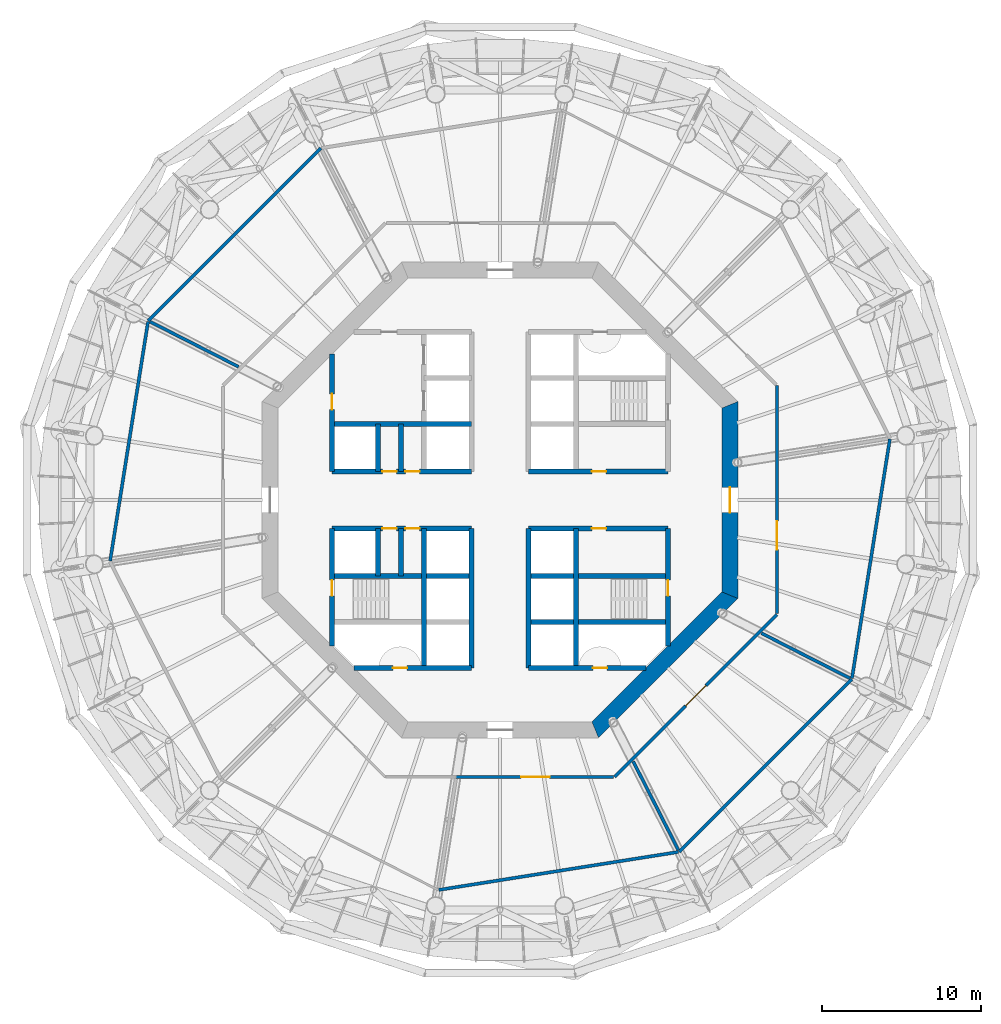
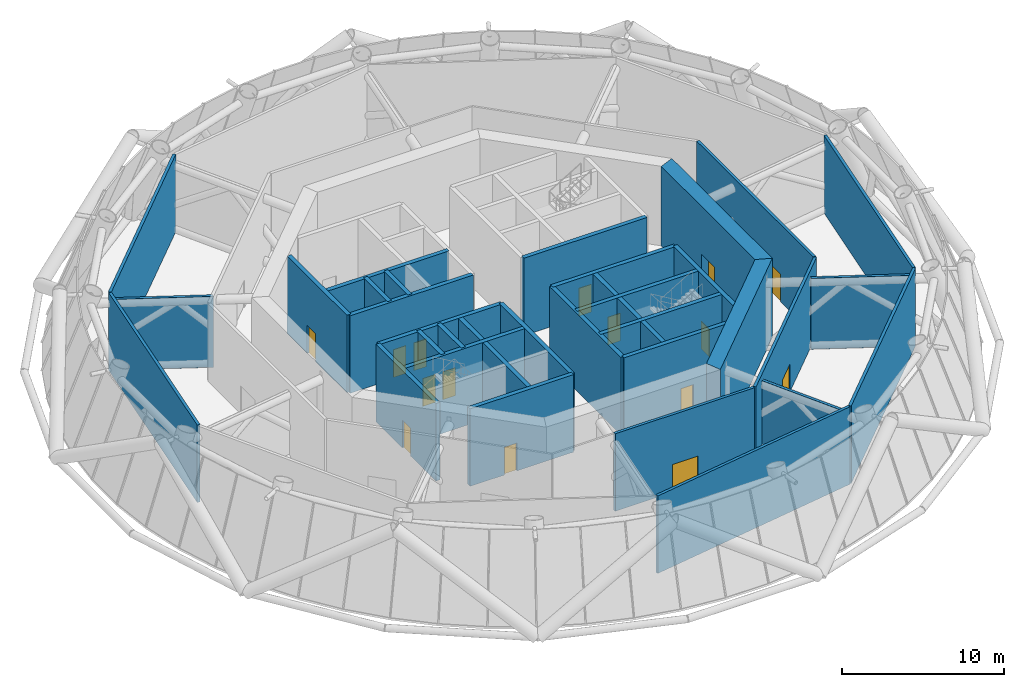
# One storey, part 8 of 15: 34 walls, 15 doors, 15 openings.
"""IFC4 building model written with IfcOpenShell, lengths in metres."""

from ifc_helpers import new_model, si_unit, direction, frame, frame_2d, origin, place, context, subcontext, project, spatial, polyline, rectangle, outline, extrude, material, layer, layer_set, type_object, element, fill, save


model = new_model("IFC4")

# Units and contexts
model_context = context("Model", 3, precision=1e-05, world=origin(), true_north=direction((0.0, 1.0)))
body_context = subcontext(model_context, "Body", "Model", "MODEL_VIEW")
ifc_project = project(units=[si_unit("LENGTHUNIT", "METRE"), si_unit("AREAUNIT", "SQUARE_METRE"), si_unit("VOLUMEUNIT", "CUBIC_METRE"), si_unit("PLANEANGLEUNIT", "RADIAN"), si_unit("MASSUNIT", "GRAM", prefix="KILO")], contexts=[model_context])

# Site, building, storey
site_placement = place(None, origin())
site = spatial("IfcSite", under=ifc_project, at=site_placement, CompositionType="ELEMENT")
building_placement = place(site_placement, origin())
building = spatial("IfcBuilding", under=site, at=building_placement, Name="Entoto Ring Tower", CompositionType="ELEMENT")
storey_placement = place(building_placement, frame((0.0, 0.0, 200.0)))
storey = spatial("IfcBuildingStorey", under=building, at=storey_placement, Name="L46", CompositionType="ELEMENT", Elevation=200.0)

# Wall, opening, door
ifc_material_1 = material(Name="Concrete C40/50", Category="concrete")
ifc_layer_1 = layer(ifc_material_1, 0.300048828125)
ifc_layer_set_1 = layer_set([ifc_layer_1], Name="Concrete C40/50")
wall_type_1 = type_object("IfcWallType", Name="Core enclosure wall 300 mm reinforced concrete", PredefinedType="SOLIDWALL", material=ifc_layer_set_1)
wall_1_placement = place(storey_placement, frame((100.60009765625, 70.801025390625, 0.0), z_axis=(0.0, 0.0, 1.0), x_axis=(0.0, 1.0, 0.0)))
wall_1 = element("IfcWall", 1, at=wall_1_placement, inside=storey, type_object=wall_type_1, Name="wall-L46-001", PredefinedType="SOLIDWALL", context=body_context, shape_type="SweptSolid", body=[
    extrude(rectangle(XDim=7.39892578125, YDim=0.300048828125, at=frame_2d((3.699462890625, 0.0))), origin(), (0.0, 0.0, 1.0), 5.85009765625),
])
opening_1_placement = place(wall_1_placement, frame((3.14892578125, 0.0, 0.0)))
opening_1 = element("IfcOpeningElement", 2, at=opening_1_placement, cuts=wall_1, Name="Opening K-47", PredefinedType="OPENING", context=body_context, shape_type="SweptSolid", body=[
    extrude(rectangle(XDim=1.0, YDim=2.10009765625, at=frame_2d((0.5, 1.050048828125))), frame((0.0, 0.16015625, 0.0), z_axis=(0.0, -1.0, 0.0), x_axis=(1.0, 0.0, 0.0)), (0.0, 0.0, 1.0), 0.320068359375),
])
ifc_material_2 = material(Name="Steel door leaf, fire rated", Category="steel")
ifc_layer_2 = layer(ifc_material_2, 0.050048828125)
ifc_layer_set_2 = layer_set([ifc_layer_2], Name="Steel door leaf, fire rated")
door_type_1 = type_object("IfcDoorType", Name="Fire door FD60 1000 x 2100 single leaf", OperationType="NOTDEFINED", PredefinedType="DOOR", material=ifc_layer_set_2)
door_1_placement = place(opening_1_placement, origin())
door_1 = element("IfcDoor", 3, at=door_1_placement, inside=storey, type_object=door_type_1, Name="Door K-47", OperationType="SINGLE_SWING_RIGHT", OverallHeight=2.10009765625, OverallWidth=1.0, PredefinedType="DOOR", context=body_context, shape_type="SweptSolid", body=[
    extrude(rectangle(XDim=1.0, YDim=2.10009765625, at=frame_2d((0.5, 1.050048828125))), frame((0.0, 0.02490234375, 0.0), z_axis=(0.0, -1.0, 0.0), x_axis=(1.0, 0.0, 0.0)), (0.0, 0.0, 1.0), 0.050048828125),
])
fill(opening_1, door_1)

# Walls
for number, where, z_axis, x_axis, name in (
    (4, (94.800048828125, 69.39990234375, 0.0), (0.0, 0.0, 1.0), (0.0, 1.0, 0.0), "wall-L46-003"),
    (5, (91.800048828125, 69.39990234375, 0.0), (0.0, 0.0, 1.0), (0.0, 1.0, 0.0), "wall-L46-005"),
    (6, (88.199951171875, 69.39990234375, 0.0), (0.0, 0.0, 1.0), (0.0, 1.0, 0.0), "wall-L46-007"),
    (7, (85.199951171875, 69.39990234375, 0.0), (0.0, 0.0, 1.0), (0.0, 1.0, 0.0), "wall-L46-009"),
):
    element("IfcWall", number, at=place(storey_placement, frame(where, z_axis=z_axis, x_axis=x_axis)), inside=storey, type_object=wall_type_1, Name=name, PredefinedType="SOLIDWALL", context=body_context, shape_type="SweptSolid", body=[
        extrude(rectangle(XDim=8.800048828125, YDim=0.300048828125, at=frame_2d((4.39990234375, 0.0))), origin(), (0.0, 0.0, 1.0), 5.85009765625),
    ])
for number, where, z_axis, x_axis, name in (
    (8, (83.75, 75.199951171875, 0.0), (0.0, 0.0, 1.0), (0.0, 1.0, 0.0), "wall-L46-011"),
    (9, (83.75, 81.800048828125, 0.0), (0.0, 0.0, 1.0), (0.0, 1.0, 0.0), "wall-L46-012"),
    (10, (82.300048828125, 75.199951171875, 0.0), (0.0, 0.0, 1.0), (0.0, 1.0, 0.0), "wall-L46-013"),
    (11, (82.300048828125, 81.800048828125, 0.0), (0.0, 0.0, 1.0), (0.0, 1.0, 0.0), "wall-L46-014"),
):
    element("IfcWall", number, at=place(storey_placement, frame(where, z_axis=z_axis, x_axis=x_axis)), inside=storey, type_object=wall_type_1, Name=name, PredefinedType="SOLIDWALL", context=body_context, shape_type="SweptSolid", body=[
        extrude(rectangle(XDim=3.0, YDim=0.300048828125, at=frame_2d((1.5, 0.0))), origin(), (0.0, 0.0, 1.0), 5.85009765625),
    ])

# Wall, opening, door
wall_2_placement = place(storey_placement, frame((79.39990234375, 70.801025390625, 0.0), z_axis=(0.0, 0.0, 1.0), x_axis=(0.0, 1.0, 0.0)))
wall_2 = element("IfcWall", 12, at=wall_2_placement, inside=storey, type_object=wall_type_1, Name="wall-L46-015", PredefinedType="SOLIDWALL", context=body_context, shape_type="SweptSolid", body=[
    extrude(rectangle(XDim=7.39892578125, YDim=0.300048828125, at=frame_2d((3.699462890625, 0.0))), origin(), (0.0, 0.0, 1.0), 5.85009765625),
])
opening_2_placement = place(wall_2_placement, frame((3.14892578125, 0.0, 0.0)))
opening_2 = element("IfcOpeningElement", 13, at=opening_2_placement, cuts=wall_2, Name="Opening K-44", PredefinedType="OPENING", context=body_context, shape_type="SweptSolid", body=[
    extrude(rectangle(XDim=1.0, YDim=2.10009765625, at=frame_2d((0.5, 1.050048828125))), frame((0.0, 0.16015625, 0.0), z_axis=(0.0, -1.0, 0.0), x_axis=(1.0, 0.0, 0.0)), (0.0, 0.0, 1.0), 0.320068359375),
])
door_2_placement = place(opening_2_placement, frame((1.0, 0.0, 0.0), z_axis=(0.0, 0.0, 1.0), x_axis=(-1.0, 0.0, 0.0)))
door_2 = element("IfcDoor", 14, at=door_2_placement, inside=storey, type_object=door_type_1, Name="Door K-44", OperationType="SINGLE_SWING_LEFT", OverallHeight=2.10009765625, OverallWidth=1.0, PredefinedType="DOOR", context=body_context, shape_type="SweptSolid", body=[
    extrude(rectangle(XDim=1.0, YDim=2.10009765625, at=frame_2d((0.5, 1.050048828125))), frame((0.0, 0.02490234375, 0.0), z_axis=(0.0, -1.0, 0.0), x_axis=(1.0, 0.0, 0.0)), (0.0, 0.0, 1.0), 0.050048828125),
])
fill(opening_2, door_2)

wall_3_placement = place(storey_placement, frame((79.39990234375, 81.800048828125, 0.0), z_axis=(0.0, 0.0, 1.0), x_axis=(0.0, 1.0, 0.0)))
wall_3 = element("IfcWall", 15, at=wall_3_placement, inside=storey, type_object=wall_type_1, Name="wall-L46-016", PredefinedType="SOLIDWALL", context=body_context, shape_type="SweptSolid", body=[
    extrude(rectangle(XDim=7.39892578125, YDim=0.300048828125, at=frame_2d((3.699462890625, 0.0))), origin(), (0.0, 0.0, 1.0), 5.85009765625),
])
opening_3_placement = place(wall_3_placement, frame((3.89990234375, 0.0, 0.0)))
opening_3 = element("IfcOpeningElement", 16, at=opening_3_placement, cuts=wall_3, Name="Opening K-17", PredefinedType="OPENING", context=body_context, shape_type="SweptSolid", body=[
    extrude(rectangle(XDim=1.0, YDim=2.10009765625, at=frame_2d((0.5, 1.050048828125))), frame((0.0, 0.16015625, 0.0), z_axis=(0.0, -1.0, 0.0), x_axis=(1.0, 0.0, 0.0)), (0.0, 0.0, 1.0), 0.320068359375),
])
door_3_placement = place(opening_3_placement, frame((1.0, 0.0, 0.0), z_axis=(0.0, 0.0, 1.0), x_axis=(-1.0, 0.0, 0.0)))
door_3 = element("IfcDoor", 17, at=door_3_placement, inside=storey, type_object=door_type_1, Name="Door K-17", OperationType="SINGLE_SWING_LEFT", OverallHeight=2.10009765625, OverallWidth=1.0, PredefinedType="DOOR", context=body_context, shape_type="SweptSolid", body=[
    extrude(rectangle(XDim=1.0, YDim=2.10009765625, at=frame_2d((0.5, 1.050048828125))), frame((0.0, 0.02490234375, 0.0), z_axis=(0.0, -1.0, 0.0), x_axis=(1.0, 0.0, 0.0)), (0.0, 0.0, 1.0), 0.050048828125),
])
fill(opening_3, door_3)

wall_4_placement = place(storey_placement, frame((80.801025390625, 69.39990234375, 0.0), z_axis=(0.0, 0.0, 1.0), x_axis=(1.0, 0.0, 0.0)))
wall_4 = element("IfcWall", 18, at=wall_4_placement, inside=storey, type_object=wall_type_1, Name="wall-L46-017", PredefinedType="SOLIDWALL", context=body_context, shape_type="SweptSolid", body=[
    extrude(rectangle(XDim=7.39892578125, YDim=0.300048828125, at=frame_2d((3.699462890625, 0.0))), origin(), (0.0, 0.0, 1.0), 5.85009765625),
])
opening_4_placement = place(wall_4_placement, frame((2.448974609375, 0.0, 0.0)))
opening_4 = element("IfcOpeningElement", 19, at=opening_4_placement, cuts=wall_4, Name="Opening K-53", PredefinedType="OPENING", context=body_context, shape_type="SweptSolid", body=[
    extrude(rectangle(XDim=0.89990234375, YDim=2.10009765625, at=frame_2d((0.449951171875, 1.050048828125))), frame((0.0, 0.16015625, 0.0), z_axis=(0.0, -1.0, 0.0), x_axis=(1.0, 0.0, 0.0)), (0.0, 0.0, 1.0), 0.320068359375),
])
ifc_material_3 = material(Name="Steel door leaf, fire rated", Category="steel")
ifc_layer_3 = layer(ifc_material_3, 0.050048828125)
ifc_layer_set_3 = layer_set([ifc_layer_3], Name="Steel door leaf, fire rated")
door_type_2 = type_object("IfcDoorType", Name="Riser door FD60 900 x 2100 single leaf", OperationType="NOTDEFINED", PredefinedType="DOOR", material=ifc_layer_set_3)
door_4_placement = place(opening_4_placement, origin())
door_4 = element("IfcDoor", 20, at=door_4_placement, inside=storey, type_object=door_type_2, Name="Door K-53", OperationType="SINGLE_SWING_RIGHT", OverallHeight=2.10009765625, OverallWidth=0.89990234375, PredefinedType="DOOR", context=body_context, shape_type="SweptSolid", body=[
    extrude(rectangle(XDim=0.89990234375, YDim=2.10009765625, at=frame_2d((0.449951171875, 1.050048828125))), frame((0.0, 0.02490234375, 0.0), z_axis=(0.0, -1.0, 0.0), x_axis=(1.0, 0.0, 0.0)), (0.0, 0.0, 1.0), 0.050048828125),
])
fill(opening_4, door_4)

wall_5_placement = place(storey_placement, frame((91.800048828125, 69.39990234375, 0.0), z_axis=(0.0, 0.0, 1.0), x_axis=(1.0, 0.0, 0.0)))
wall_5 = element("IfcWall", 21, at=wall_5_placement, inside=storey, type_object=wall_type_1, Name="wall-L46-018", PredefinedType="SOLIDWALL", context=body_context, shape_type="SweptSolid", body=[
    extrude(rectangle(XDim=7.39892578125, YDim=0.300048828125, at=frame_2d((3.699462890625, 0.0))), origin(), (0.0, 0.0, 1.0), 5.85009765625),
])
opening_5_placement = place(wall_5_placement, frame((4.050048828125, 0.0, 0.0)))
opening_5 = element("IfcOpeningElement", 22, at=opening_5_placement, cuts=wall_5, Name="Opening K-56", PredefinedType="OPENING", context=body_context, shape_type="SweptSolid", body=[
    extrude(rectangle(XDim=0.89990234375, YDim=2.10009765625, at=frame_2d((0.449951171875, 1.050048828125))), frame((0.0, 0.16015625, 0.0), z_axis=(0.0, -1.0, 0.0), x_axis=(1.0, 0.0, 0.0)), (0.0, 0.0, 1.0), 0.320068359375),
])
door_5_placement = place(opening_5_placement, origin())
door_5 = element("IfcDoor", 23, at=door_5_placement, inside=storey, type_object=door_type_2, Name="Door K-56", OperationType="SINGLE_SWING_LEFT", OverallHeight=2.10009765625, OverallWidth=0.89990234375, PredefinedType="DOOR", context=body_context, shape_type="SweptSolid", body=[
    extrude(rectangle(XDim=0.89990234375, YDim=2.10009765625, at=frame_2d((0.449951171875, 1.050048828125))), frame((0.0, 0.02490234375, 0.0), z_axis=(0.0, -1.0, 0.0), x_axis=(1.0, 0.0, 0.0)), (0.0, 0.0, 1.0), 0.050048828125),
])
fill(opening_5, door_5)

# Walls
for number, where, z_axis, x_axis, name in (
    (24, (91.800048828125, 72.300048828125, 0.0), (0.0, 0.0, 1.0), (1.0, 0.0, 0.0), "wall-L46-020"),
    (25, (79.39990234375, 75.199951171875, 0.0), (0.0, 0.0, 1.0), (1.0, 0.0, 0.0), "wall-L46-021"),
    (26, (91.800048828125, 75.199951171875, 0.0), (0.0, 0.0, 1.0), (1.0, 0.0, 0.0), "wall-L46-022"),
):
    element("IfcWall", number, at=place(storey_placement, frame(where, z_axis=z_axis, x_axis=x_axis)), inside=storey, type_object=wall_type_1, Name=name, PredefinedType="SOLIDWALL", context=body_context, shape_type="SweptSolid", body=[
        extrude(rectangle(XDim=8.800048828125, YDim=0.300048828125, at=frame_2d((4.39990234375, 0.0))), origin(), (0.0, 0.0, 1.0), 5.85009765625),
    ])

# Wall, openings, doors
wall_6_placement = place(storey_placement, frame((79.39990234375, 78.199951171875, 0.0), z_axis=(0.0, 0.0, 1.0), x_axis=(1.0, 0.0, 0.0)))
wall_6 = element("IfcWall", 27, at=wall_6_placement, inside=storey, type_object=wall_type_1, Name="wall-L46-023", PredefinedType="SOLIDWALL", context=body_context, shape_type="SweptSolid", body=[
    extrude(rectangle(XDim=8.800048828125, YDim=0.300048828125, at=frame_2d((4.39990234375, 0.0))), origin(), (0.0, 0.0, 1.0), 5.85009765625),
])
opening_6_placement = place(wall_6_placement, frame((3.175048828125, 0.0, 0.0)))
opening_6 = element("IfcOpeningElement", 28, at=opening_6_placement, cuts=wall_6, Name="Opening K-09", PredefinedType="OPENING", context=body_context, shape_type="SweptSolid", body=[
    extrude(rectangle(XDim=0.89990234375, YDim=2.10009765625, at=frame_2d((0.449951171875, 1.050048828125))), frame((0.0, 0.16015625, 0.0), z_axis=(0.0, -1.0, 0.0), x_axis=(1.0, 0.0, 0.0)), (0.0, 0.0, 1.0), 0.320068359375),
])
opening_7_placement = place(wall_6_placement, frame((4.625, 0.0, 0.0)))
opening_7 = element("IfcOpeningElement", 29, at=opening_7_placement, cuts=wall_6, Name="Opening K-10", PredefinedType="OPENING", context=body_context, shape_type="SweptSolid", body=[
    extrude(rectangle(XDim=0.89990234375, YDim=2.10009765625, at=frame_2d((0.449951171875, 1.050048828125))), frame((0.0, 0.16015625, 0.0), z_axis=(0.0, -1.0, 0.0), x_axis=(1.0, 0.0, 0.0)), (0.0, 0.0, 1.0), 0.320068359375),
])
ifc_material_4 = material(Name="Steel door leaf, fire rated", Category="steel")
ifc_layer_4 = layer(ifc_material_4, 0.050048828125)
ifc_layer_set_4 = layer_set([ifc_layer_4], Name="Steel door leaf, fire rated")
door_type_3 = type_object("IfcDoorType", Name="Core door 900 x 2100 single leaf", OperationType="NOTDEFINED", PredefinedType="DOOR", material=ifc_layer_set_4)
door_6_placement = place(opening_6_placement, frame((0.89990234375, 0.0, 0.0), z_axis=(0.0, 0.0, 1.0), x_axis=(-1.0, 0.0, 0.0)))
door_6 = element("IfcDoor", 30, at=door_6_placement, inside=storey, type_object=door_type_3, Name="Door K-09", OperationType="SINGLE_SWING_LEFT", OverallHeight=2.10009765625, OverallWidth=0.89990234375, PredefinedType="DOOR", context=body_context, shape_type="SweptSolid", body=[
    extrude(rectangle(XDim=0.89990234375, YDim=2.10009765625, at=frame_2d((0.449951171875, 1.050048828125))), frame((0.0, 0.02490234375, 0.0), z_axis=(0.0, -1.0, 0.0), x_axis=(1.0, 0.0, 0.0)), (0.0, 0.0, 1.0), 0.050048828125),
])
fill(opening_6, door_6)
door_7_placement = place(opening_7_placement, frame((0.89990234375, 0.0, 0.0), z_axis=(0.0, 0.0, 1.0), x_axis=(-1.0, 0.0, 0.0)))
door_7 = element("IfcDoor", 31, at=door_7_placement, inside=storey, type_object=door_type_3, Name="Door K-10", OperationType="SINGLE_SWING_LEFT", OverallHeight=2.10009765625, OverallWidth=0.89990234375, PredefinedType="DOOR", context=body_context, shape_type="SweptSolid", body=[
    extrude(rectangle(XDim=0.89990234375, YDim=2.10009765625, at=frame_2d((0.449951171875, 1.050048828125))), frame((0.0, 0.02490234375, 0.0), z_axis=(0.0, -1.0, 0.0), x_axis=(1.0, 0.0, 0.0)), (0.0, 0.0, 1.0), 0.050048828125),
])
fill(opening_7, door_7)

# Wall, opening, door
wall_7_placement = place(storey_placement, frame((91.800048828125, 78.199951171875, 0.0), z_axis=(0.0, 0.0, 1.0), x_axis=(1.0, 0.0, 0.0)))
wall_7 = element("IfcWall", 32, at=wall_7_placement, inside=storey, type_object=wall_type_1, Name="wall-L46-024", PredefinedType="SOLIDWALL", context=body_context, shape_type="SweptSolid", body=[
    extrude(rectangle(XDim=8.800048828125, YDim=0.300048828125, at=frame_2d((4.39990234375, 0.0))), origin(), (0.0, 0.0, 1.0), 5.85009765625),
])
opening_8_placement = place(wall_7_placement, frame((4.0, 0.0, 0.0)))
opening_8 = element("IfcOpeningElement", 33, at=opening_8_placement, cuts=wall_7, Name="Opening K-06", PredefinedType="OPENING", context=body_context, shape_type="SweptSolid", body=[
    extrude(rectangle(XDim=0.89990234375, YDim=2.10009765625, at=frame_2d((0.449951171875, 1.050048828125))), frame((0.0, 0.16015625, 0.0), z_axis=(0.0, -1.0, 0.0), x_axis=(1.0, 0.0, 0.0)), (0.0, 0.0, 1.0), 0.320068359375),
])
door_8_placement = place(opening_8_placement, frame((0.89990234375, 0.0, 0.0), z_axis=(0.0, 0.0, 1.0), x_axis=(-1.0, 0.0, 0.0)))
door_8 = element("IfcDoor", 34, at=door_8_placement, inside=storey, type_object=door_type_3, Name="Door K-06", OperationType="SINGLE_SWING_RIGHT", OverallHeight=2.10009765625, OverallWidth=0.89990234375, PredefinedType="DOOR", context=body_context, shape_type="SweptSolid", body=[
    extrude(rectangle(XDim=0.89990234375, YDim=2.10009765625, at=frame_2d((0.449951171875, 1.050048828125))), frame((0.0, 0.02490234375, 0.0), z_axis=(0.0, -1.0, 0.0), x_axis=(1.0, 0.0, 0.0)), (0.0, 0.0, 1.0), 0.050048828125),
])
fill(opening_8, door_8)

# Wall, openings, doors
wall_8_placement = place(storey_placement, frame((79.39990234375, 81.800048828125, 0.0), z_axis=(0.0, 0.0, 1.0), x_axis=(1.0, 0.0, 0.0)))
wall_8 = element("IfcWall", 35, at=wall_8_placement, inside=storey, type_object=wall_type_1, Name="wall-L46-025", PredefinedType="SOLIDWALL", context=body_context, shape_type="SweptSolid", body=[
    extrude(rectangle(XDim=8.800048828125, YDim=0.300048828125, at=frame_2d((4.39990234375, 0.0))), origin(), (0.0, 0.0, 1.0), 5.85009765625),
])
opening_9_placement = place(wall_8_placement, frame((3.175048828125, 0.0, 0.0)))
opening_9 = element("IfcOpeningElement", 36, at=opening_9_placement, cuts=wall_8, Name="Opening K-07", PredefinedType="OPENING", context=body_context, shape_type="SweptSolid", body=[
    extrude(rectangle(XDim=0.89990234375, YDim=2.10009765625, at=frame_2d((0.449951171875, 1.050048828125))), frame((0.0, 0.16015625, 0.0), z_axis=(0.0, -1.0, 0.0), x_axis=(1.0, 0.0, 0.0)), (0.0, 0.0, 1.0), 0.320068359375),
])
opening_10_placement = place(wall_8_placement, frame((4.625, 0.0, 0.0)))
opening_10 = element("IfcOpeningElement", 37, at=opening_10_placement, cuts=wall_8, Name="Opening K-08", PredefinedType="OPENING", context=body_context, shape_type="SweptSolid", body=[
    extrude(rectangle(XDim=0.89990234375, YDim=2.10009765625, at=frame_2d((0.449951171875, 1.050048828125))), frame((0.0, 0.16015625, 0.0), z_axis=(0.0, -1.0, 0.0), x_axis=(1.0, 0.0, 0.0)), (0.0, 0.0, 1.0), 0.320068359375),
])
door_9_placement = place(opening_9_placement, origin())
door_9 = element("IfcDoor", 38, at=door_9_placement, inside=storey, type_object=door_type_3, Name="Door K-07", OperationType="SINGLE_SWING_RIGHT", OverallHeight=2.10009765625, OverallWidth=0.89990234375, PredefinedType="DOOR", context=body_context, shape_type="SweptSolid", body=[
    extrude(rectangle(XDim=0.89990234375, YDim=2.10009765625, at=frame_2d((0.449951171875, 1.050048828125))), frame((0.0, 0.02490234375, 0.0), z_axis=(0.0, -1.0, 0.0), x_axis=(1.0, 0.0, 0.0)), (0.0, 0.0, 1.0), 0.050048828125),
])
fill(opening_9, door_9)
door_10_placement = place(opening_10_placement, origin())
door_10 = element("IfcDoor", 39, at=door_10_placement, inside=storey, type_object=door_type_3, Name="Door K-08", OperationType="SINGLE_SWING_RIGHT", OverallHeight=2.10009765625, OverallWidth=0.89990234375, PredefinedType="DOOR", context=body_context, shape_type="SweptSolid", body=[
    extrude(rectangle(XDim=0.89990234375, YDim=2.10009765625, at=frame_2d((0.449951171875, 1.050048828125))), frame((0.0, 0.02490234375, 0.0), z_axis=(0.0, -1.0, 0.0), x_axis=(1.0, 0.0, 0.0)), (0.0, 0.0, 1.0), 0.050048828125),
])
fill(opening_10, door_10)

# Wall, opening, door
wall_9_placement = place(storey_placement, frame((91.800048828125, 81.800048828125, 0.0), z_axis=(0.0, 0.0, 1.0), x_axis=(1.0, 0.0, 0.0)))
wall_9 = element("IfcWall", 40, at=wall_9_placement, inside=storey, type_object=wall_type_1, Name="wall-L46-026", PredefinedType="SOLIDWALL", context=body_context, shape_type="SweptSolid", body=[
    extrude(rectangle(XDim=8.800048828125, YDim=0.300048828125, at=frame_2d((4.39990234375, 0.0))), origin(), (0.0, 0.0, 1.0), 5.85009765625),
])
opening_11_placement = place(wall_9_placement, frame((4.0, 0.0, 0.0)))
opening_11 = element("IfcOpeningElement", 41, at=opening_11_placement, cuts=wall_9, Name="Opening K-05", PredefinedType="OPENING", context=body_context, shape_type="SweptSolid", body=[
    extrude(rectangle(XDim=0.89990234375, YDim=2.10009765625, at=frame_2d((0.449951171875, 1.050048828125))), frame((0.0, 0.16015625, 0.0), z_axis=(0.0, -1.0, 0.0), x_axis=(1.0, 0.0, 0.0)), (0.0, 0.0, 1.0), 0.320068359375),
])
door_11_placement = place(opening_11_placement, origin())
door_11 = element("IfcDoor", 42, at=door_11_placement, inside=storey, type_object=door_type_3, Name="Door K-05", OperationType="SINGLE_SWING_LEFT", OverallHeight=2.10009765625, OverallWidth=0.89990234375, PredefinedType="DOOR", context=body_context, shape_type="SweptSolid", body=[
    extrude(rectangle(XDim=0.89990234375, YDim=2.10009765625, at=frame_2d((0.449951171875, 1.050048828125))), frame((0.0, 0.02490234375, 0.0), z_axis=(0.0, -1.0, 0.0), x_axis=(1.0, 0.0, 0.0)), (0.0, 0.0, 1.0), 0.050048828125),
])
fill(opening_11, door_11)

# Wall
wall_10_placement = place(storey_placement, frame((79.39990234375, 84.800048828125, 0.0), z_axis=(0.0, 0.0, 1.0), x_axis=(1.0, 0.0, 0.0)))
element("IfcWall", 43, at=wall_10_placement, inside=storey, type_object=wall_type_1, Name="wall-L46-027", PredefinedType="SOLIDWALL", context=body_context, shape_type="SweptSolid", body=[
    extrude(rectangle(XDim=8.800048828125, YDim=0.300048828125, at=frame_2d((4.39990234375, 0.0))), origin(), (0.0, 0.0, 1.0), 5.85009765625),
])

# Wall, opening, door
ifc_material_5 = material(Name="Concrete C50/60", Category="concrete")
ifc_layer_5 = layer(ifc_material_5, 1.0)
ifc_layer_set_5 = layer_set([ifc_layer_5], Name="Concrete C50/60")
wall_type_2 = type_object("IfcWallType", Name="Core shear wall 1000 mm reinforced concrete C50/60", PredefinedType="SHEAR", material=ifc_layer_set_5)
wall_11_placement = place(storey_placement, frame((104.5, 73.993896484375, 0.0), z_axis=(0.0, 0.0, 1.0), x_axis=(0.0, 1.0, 0.0)))
wall_11 = element("IfcWall", 44, at=wall_11_placement, inside=storey, type_object=wall_type_2, Name="wall-L46-core-0", PredefinedType="SHEAR", context=body_context, shape_type="SweptSolid", body=[
    extrude(outline(polyline([(-0.20703125, -0.5), (12.21923828125, -0.5), (11.80517578125, 0.5), (0.20703125, 0.5), (-0.20703125, -0.5)])), origin(), (0.0, 0.0, 1.0), 6.0),
])
opening_12_placement = place(wall_11_placement, frame((5.2060546875, 0.0, 0.0)))
opening_12 = element("IfcOpeningElement", 45, at=opening_12_placement, cuts=wall_11, Name="Opening K-01", PredefinedType="OPENING", context=body_context, shape_type="SweptSolid", body=[
    extrude(rectangle(XDim=1.60009765625, YDim=2.39990234375, at=frame_2d((0.800048828125, 1.199951171875))), frame((0.0, 0.510009765625, 0.0), z_axis=(0.0, -1.0, 0.0), x_axis=(1.0, 0.0, 0.0)), (0.0, 0.0, 1.0), 1.02001953125),
])
ifc_material_6 = material(Name="Steel door leaf, fire rated", Category="steel")
ifc_layer_6 = layer(ifc_material_6, 0.050048828125)
ifc_layer_set_6 = layer_set([ifc_layer_6], Name="Steel door leaf, fire rated")
door_type_4 = type_object("IfcDoorType", Name="Entrance door FD60 1600 x 2400 double leaf", OperationType="DOUBLE_DOOR_SINGLE_SWING", PredefinedType="DOOR", material=ifc_layer_set_6)
door_12_placement = place(opening_12_placement, origin())
door_12 = element("IfcDoor", 46, at=door_12_placement, inside=storey, type_object=door_type_4, Name="Entrance door K-01", OperationType="DOUBLE_DOOR_SINGLE_SWING", OverallHeight=2.39990234375, OverallWidth=1.60009765625, PredefinedType="DOOR", context=body_context, shape_type="SweptSolid", body=[
    extrude(rectangle(XDim=1.60009765625, YDim=2.39990234375, at=frame_2d((0.800048828125, 1.199951171875))), frame((0.0, 0.02490234375, 0.0), z_axis=(0.0, -1.0, 0.0), x_axis=(1.0, 0.0, 0.0)), (0.0, 0.0, 1.0), 0.050048828125),
])
fill(opening_12, door_12)

# Walls
wall_12_placement = place(storey_placement, frame((96.006103515625, 65.5, 0.0), z_axis=(0.0, 0.0, 1.0), x_axis=(0.707106781187, 0.707106781187, 0.0)))
element("IfcWall", 47, at=wall_12_placement, inside=storey, type_object=wall_type_2, Name="wall-L46-core-7", PredefinedType="SHEAR", context=body_context, shape_type="SweptSolid", body=[
    extrude(outline(polyline([(-0.20703125, -0.5), (12.21923828125, -0.5), (11.80517578125, 0.5), (0.20703125, 0.5), (-0.20703125, -0.5)])), origin(), (0.0, 0.0, 1.0), 6.0),
])
ifc_material_7 = material(Name="Concrete C20/25", Category="concrete")
ifc_layer_7 = layer(ifc_material_7, 0.199951171875)
ifc_layer_set_7 = layer_set([ifc_layer_7], Name="Concrete C20/25")
wall_type_3 = type_object("IfcWallType", Name="Plant room wall 200 mm two-hour concrete", PredefinedType="PARTITIONING", material=ifc_layer_set_7)
for number, where, z_axis, x_axis, name in (
    (48, (67.81396484375, 91.304443359375, 0.0), (0.0, 0.0, 1.0), (0.707106781187, 0.707106781187, 0.0), "partition-L46-007"),
    (49, (101.304443359375, 57.81396484375, 0.0), (0.0, 0.0, 1.0), (0.707106781187, 0.707106781187, 0.0), "partition-L46-008"),
):
    element("IfcWall", number, at=place(storey_placement, frame(where, z_axis=z_axis, x_axis=x_axis)), inside=storey, type_object=wall_type_3, Name=name, PredefinedType="PARTITIONING", context=body_context, shape_type="SweptSolid", body=[
        extrude(rectangle(XDim=15.388916015625, YDim=0.199951171875, at=frame_2d((7.6943359375, 0.0))), origin(), (0.0, 0.0, 1.0), 5.85009765625),
    ])
wall_13_placement = place(storey_placement, frame((65.415771484375, 76.16259765625, 0.0), z_axis=(0.0, 0.0, 1.0), x_axis=(0.156424729703, 0.987689882472, 0.0)))
element("IfcWall", 50, at=wall_13_placement, inside=storey, type_object=wall_type_3, Name="partition-L46-011", PredefinedType="PARTITIONING", context=body_context, shape_type="SweptSolid", body=[
    extrude(rectangle(XDim=15.27197265625, YDim=0.199951171875, at=frame_2d((7.635986328125, 0.0))), origin(), (0.0, 0.0, 1.0), 5.85009765625),
])
wall_14_placement = place(storey_placement, frame((86.140869140625, 55.412353515625, 0.0), z_axis=(0.0, 0.0, 1.0), x_axis=(0.987690117548, 0.156423245387, 0.0)))
element("IfcWall", 51, at=wall_14_placement, inside=storey, type_object=wall_type_3, Name="partition-L46-013", PredefinedType="PARTITIONING", context=body_context, shape_type="SweptSolid", body=[
    extrude(rectangle(XDim=15.2939453125, YDim=0.199951171875, at=frame_2d((7.64697265625, 0.0))), origin(), (0.0, 0.0, 1.0), 5.85009765625),
])
wall_15_placement = place(storey_placement, frame((112.1953125, 68.75341796875, 0.0), z_axis=(0.0, 0.0, 1.0), x_axis=(0.156424729703, 0.987689882472, 0.0)))
element("IfcWall", 52, at=wall_15_placement, inside=storey, type_object=wall_type_3, Name="partition-L46-014", PredefinedType="PARTITIONING", context=body_context, shape_type="SweptSolid", body=[
    extrude(rectangle(XDim=15.27197265625, YDim=0.199951171875, at=frame_2d((7.635986328125, 0.0))), origin(), (0.0, 0.0, 1.0), 5.85009765625),
])

# Wall, opening, door
wall_16_placement = place(storey_placement, frame((97.233154296875, 62.53759765625, 0.0), z_axis=(0.0, 0.0, 1.0), x_axis=(0.707106781187, 0.707106781187, 0.0)))
wall_16 = element("IfcWall", 53, at=wall_16_placement, inside=storey, type_object=wall_type_3, Name="partition-L46-016", PredefinedType="PARTITIONING", context=body_context, shape_type="SweptSolid", body=[
    extrude(rectangle(XDim=14.46630859375, YDim=0.199951171875, at=frame_2d((7.233154296875, 0.0))), origin(), (0.0, 0.0, 1.0), 5.85009765625),
])
opening_13_placement = place(wall_16_placement, frame((6.333251953125, 0.0, 0.0)))
opening_13 = element("IfcOpeningElement", 54, at=opening_13_placement, cuts=wall_16, Name="Opening A20-D09", PredefinedType="OPENING", context=body_context, shape_type="SweptSolid", body=[
    extrude(rectangle(XDim=1.800048828125, YDim=2.10009765625, at=frame_2d((0.89990234375, 1.050048828125))), frame((0.0, 0.10986328125, 0.0), z_axis=(0.0, -1.0, 0.0), x_axis=(1.0, 0.0, 0.0)), (0.0, 0.0, 1.0), 0.219970703125),
])
ifc_material_8 = material(Name="Fire-resisting steel door set", Category="steel")
door_type_5 = type_object("IfcDoorType", Name="Door 1800 x 2100 double leaf FD60 steel door", OperationType="DOUBLE_DOOR_SINGLE_SWING", PredefinedType="DOOR", material=ifc_material_8)
door_13_placement = place(opening_13_placement, frame((1.800048828125, 0.0, 0.0), z_axis=(0.0, 0.0, 1.0), x_axis=(-1.0, 0.0, 0.0)))
door_13 = element("IfcDoor", 55, at=door_13_placement, inside=storey, type_object=door_type_5, Name="Door A20-D09", OperationType="DOUBLE_DOOR_SINGLE_SWING", OverallHeight=2.10009765625, OverallWidth=1.800048828125, PredefinedType="DOOR", context=body_context, shape_type="SweptSolid", body=[
    extrude(rectangle(XDim=1.800048828125, YDim=2.10009765625, at=frame_2d((0.89990234375, 1.050048828125))), frame((0.0, 0.02490234375, 0.0), z_axis=(0.0, -1.0, 0.0), x_axis=(1.0, 0.0, 0.0)), (0.0, 0.0, 1.0), 0.050048828125),
])
fill(opening_13, door_13)

wall_17_placement = place(storey_placement, frame((107.46240234375, 72.83740234375, 0.0), z_axis=(0.0, 0.0, 1.0), x_axis=(0.0, 1.0, 0.0)))
wall_17 = element("IfcWall", 56, at=wall_17_placement, inside=storey, type_object=wall_type_3, Name="partition-L46-018", PredefinedType="PARTITIONING", context=body_context, shape_type="SweptSolid", body=[
    extrude(rectangle(XDim=14.395751953125, YDim=0.199951171875, at=frame_2d((7.19775390625, 0.0))), origin(), (0.0, 0.0, 1.0), 5.85009765625),
])
opening_14_placement = place(wall_17_placement, frame((4.029052734375, 0.0, 0.0)))
opening_14 = element("IfcOpeningElement", 57, at=opening_14_placement, cuts=wall_17, Name="Opening A20-D10", PredefinedType="OPENING", context=body_context, shape_type="SweptSolid", body=[
    extrude(rectangle(XDim=1.800048828125, YDim=2.10009765625, at=frame_2d((0.89990234375, 1.050048828125))), frame((0.0, 0.10986328125, 0.0), z_axis=(0.0, -1.0, 0.0), x_axis=(1.0, 0.0, 0.0)), (0.0, 0.0, 1.0), 0.219970703125),
])
door_14_placement = place(opening_14_placement, frame((1.800048828125, 0.0, 0.0), z_axis=(0.0, 0.0, 1.0), x_axis=(-1.0, 0.0, 0.0)))
door_14 = element("IfcDoor", 58, at=door_14_placement, inside=storey, type_object=door_type_5, Name="Door A20-D10", OperationType="DOUBLE_DOOR_SINGLE_SWING", OverallHeight=2.10009765625, OverallWidth=1.800048828125, PredefinedType="DOOR", context=body_context, shape_type="SweptSolid", body=[
    extrude(rectangle(XDim=1.800048828125, YDim=2.10009765625, at=frame_2d((0.89990234375, 1.050048828125))), frame((0.0, 0.02490234375, 0.0), z_axis=(0.0, -1.0, 0.0), x_axis=(1.0, 0.0, 0.0)), (0.0, 0.0, 1.0), 0.050048828125),
])
fill(opening_14, door_14)

wall_18_placement = place(storey_placement, frame((87.234130859375, 62.53759765625, 0.0), z_axis=(0.0, 0.0, 1.0), x_axis=(1.0, 0.0, 0.0)))
wall_18 = element("IfcWall", 59, at=wall_18_placement, inside=storey, type_object=wall_type_3, Name="partition-L46-020", PredefinedType="PARTITIONING", context=body_context, shape_type="SweptSolid", body=[
    extrude(rectangle(XDim=9.928466796875, YDim=0.199951171875, at=frame_2d((4.96435546875, 0.0))), origin(), (0.0, 0.0, 1.0), 5.85009765625),
])
opening_15_placement = place(wall_18_placement, frame((4.099365234375, 0.0, 0.0)))
opening_15 = element("IfcOpeningElement", 60, at=opening_15_placement, cuts=wall_18, Name="Opening A20-D08", PredefinedType="OPENING", context=body_context, shape_type="SweptSolid", body=[
    extrude(rectangle(XDim=1.800048828125, YDim=2.10009765625, at=frame_2d((0.89990234375, 1.050048828125))), frame((0.0, 0.10986328125, 0.0), z_axis=(0.0, -1.0, 0.0), x_axis=(1.0, 0.0, 0.0)), (0.0, 0.0, 1.0), 0.219970703125),
])
door_15_placement = place(opening_15_placement, frame((1.800048828125, 0.0, 0.0), z_axis=(0.0, 0.0, 1.0), x_axis=(-1.0, 0.0, 0.0)))
door_15 = element("IfcDoor", 61, at=door_15_placement, inside=storey, type_object=door_type_5, Name="Door A20-D08", OperationType="DOUBLE_DOOR_SINGLE_SWING", OverallHeight=2.10009765625, OverallWidth=1.800048828125, PredefinedType="DOOR", context=body_context, shape_type="SweptSolid", body=[
    extrude(rectangle(XDim=1.800048828125, YDim=2.10009765625, at=frame_2d((0.89990234375, 1.050048828125))), frame((0.0, 0.02490234375, 0.0), z_axis=(0.0, -1.0, 0.0), x_axis=(1.0, 0.0, 0.0)), (0.0, 0.0, 1.0), 0.050048828125),
])
fill(opening_15, door_15)

# Walls
ifc_material_9 = material(Name="Concrete C20/25", Category="concrete")
ifc_layer_8 = layer(ifc_material_9, 0.199951171875)
ifc_layer_set_8 = layer_set([ifc_layer_8], Name="Concrete C20/25")
wall_type_4 = type_object("IfcWallType", Name="Plant room wall 200 mm two-hour concrete, 5350 mm high", PredefinedType="PARTITIONING", material=ifc_layer_set_8)
for number, where, z_axis, x_axis, name in (
    (62, (73.517578125, 88.398193359375, 0.0), (0.0, 0.0, 1.0), (-0.891010643763, 0.453982414529, 0.0), "partition-L46-029"),
    (63, (101.241943359375, 57.936279296875, 0.0), (0.0, 0.0, 1.0), (-0.453982414529, 0.891010643763, 0.0), "partition-L46-031"),
    (64, (112.063720703125, 68.758056640625, 0.0), (0.0, 0.0, 1.0), (-0.891010643763, 0.453982414529, 0.0), "partition-L46-032"),
):
    element("IfcWall", number, at=place(storey_placement, frame(where, z_axis=z_axis, x_axis=x_axis)), inside=storey, type_object=wall_type_4, Name=name, PredefinedType="PARTITIONING", context=body_context, shape_type="SweptSolid", body=[
        extrude(rectangle(XDim=6.263916015625, YDim=0.199951171875, at=frame_2d((3.1318359375, 0.0))), origin(), (0.0, 0.0, 1.0), 5.35009765625),
    ])

save(model, "model.ifc")
